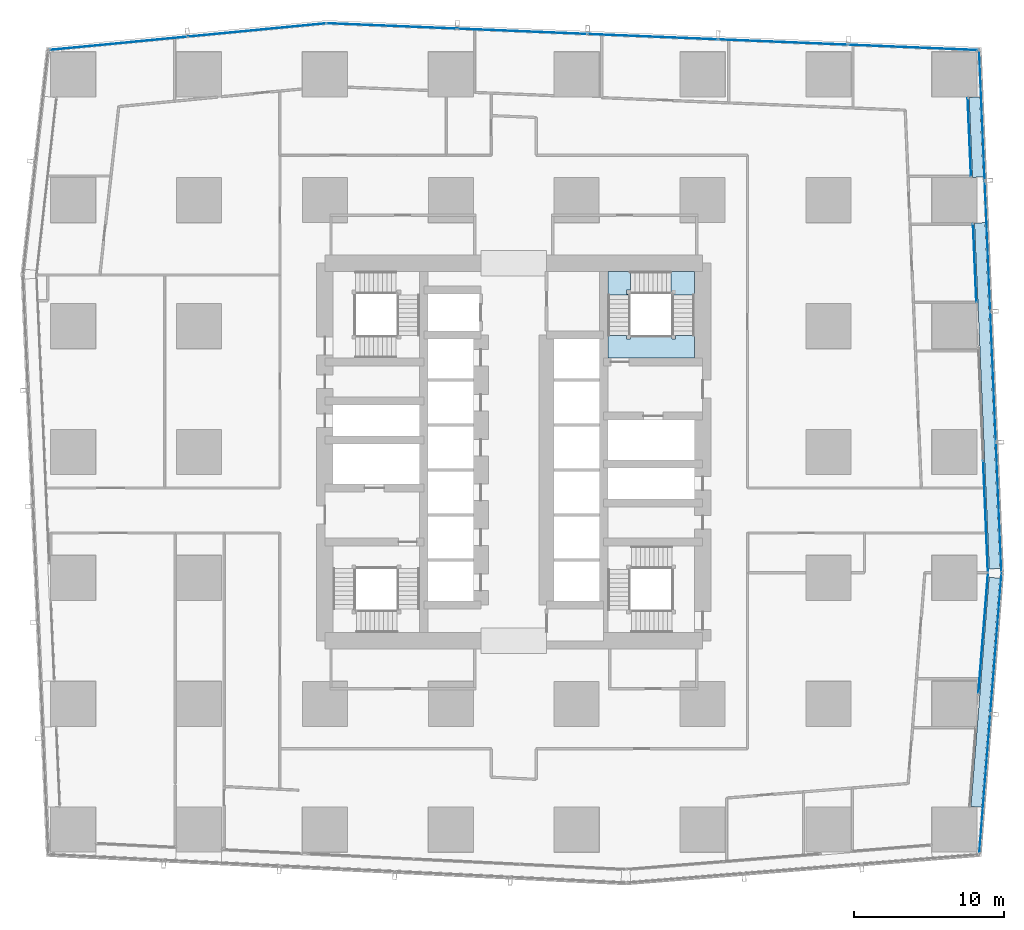
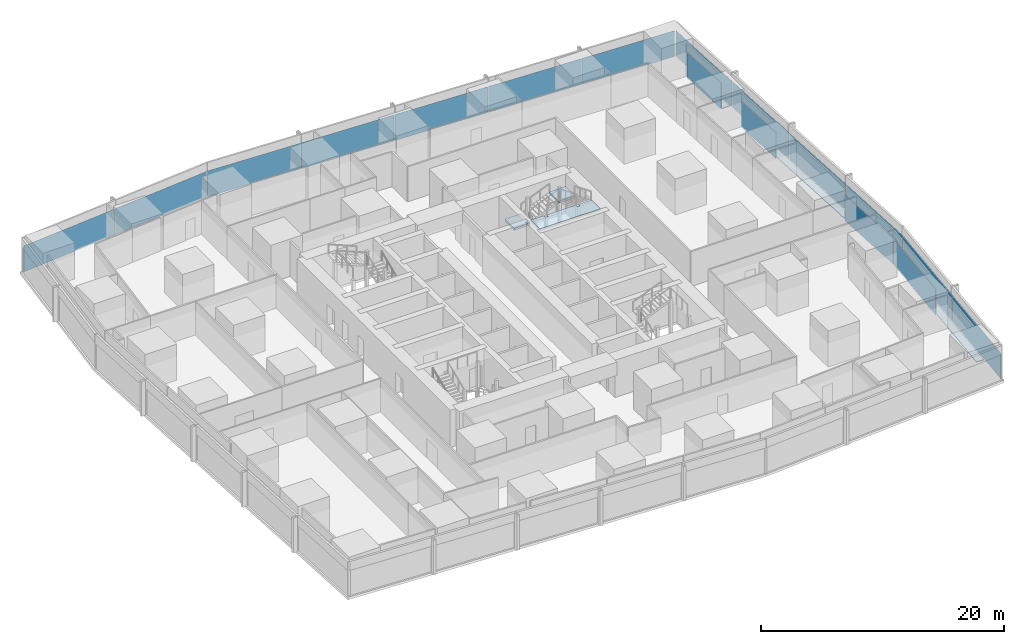
# One storey, part 31 of 45: 20 plates, 3 slabs, 9 elements without a shape of their own.
"""IFC4 building model written with IfcOpenShell, lengths in metres."""

from ifc_helpers import new_model, si_unit, direction, frame, origin, origin_2d, place, context, subcontext, project, spatial, polyline, rectangle, outline, extrude, material, layer, layer_set, type_object, element, aggregate, save


model = new_model("IFC4")

# Units and contexts
model_context = context("Model", 3, precision=1e-05, world=origin(), true_north=direction((0.0, 1.0)))
body_context = subcontext(model_context, "Body", "Model", "MODEL_VIEW")
ifc_project = project(units=[si_unit("LENGTHUNIT", "METRE"), si_unit("AREAUNIT", "SQUARE_METRE"), si_unit("VOLUMEUNIT", "CUBIC_METRE"), si_unit("PLANEANGLEUNIT", "RADIAN"), si_unit("MASSUNIT", "GRAM", prefix="KILO")], contexts=[model_context])

# Site, building, storey
site_placement = place(None, origin())
site = spatial("IfcSite", under=ifc_project, at=site_placement, CompositionType="ELEMENT")
building_placement = place(site_placement, origin())
building = spatial("IfcBuilding", under=site, at=building_placement, Name="Rekha Terrace Tower", CompositionType="ELEMENT")
storey_placement = place(building_placement, frame((0.0, 0.0, 77.89990234375)))
storey = spatial("IfcBuildingStorey", under=building, at=storey_placement, Name="L19", CompositionType="ELEMENT", Elevation=77.89990234375)

# Curtain wall, plate
ifc_material_1 = material(Name="Aluminium framing", Category="aluminium")
curtain_wall_type_1 = type_object("IfcCurtainWallType", Name="CW1 double skin inner glazing", PredefinedType="USERDEFINED", material=ifc_material_1)
curtain_wall_1_placement = place(storey_placement, origin())
curtain_wall_1 = element("IfcCurtainWall", 1, at=curtain_wall_1_placement, inside=storey, type_object=curtain_wall_type_1, Name="CW1 double skin inner glazing", ObjectType="DOUBLE SKIN INNER GLAZING", PredefinedType="USERDEFINED")
ifc_material_2 = material(Name="Double-glazed low-e unit 32", Category="glass")
ifc_layer_1 = layer(ifc_material_2, 0.031982421875)
ifc_layer_set_1 = layer_set([ifc_layer_1], Name="Double-glazed low-e unit 32")
plate_type_1 = type_object("IfcPlateType", Name="CW1 jumbo vision panel, double-glazed low-e unit 32", PredefinedType="CURTAIN_PANEL", material=ifc_layer_set_1)
plate_1_placement = place(storey_placement, frame((69.119873046875, 21.507568359375, 0.0), z_axis=(0.0, 0.0, 1.0), x_axis=(0.079116301035, 0.996865392573, 0.0)))
plate_1 = element("IfcPlate", 2, at=plate_1_placement, type_object=plate_type_1, Name="CW1 panel 1.1", PredefinedType="CURTAIN_PANEL", context=body_context, shape_type="SweptSolid", body=[
    extrude(rectangle(XDim=8.048583984375, YDim=0.031982421875, at=origin_2d()), origin(), (0.0, 0.0, 1.0), 2.60009765625),
])
aggregate(curtain_wall_1, [plate_1])

curtain_wall_2_placement = place(storey_placement, origin())
curtain_wall_2 = element("IfcCurtainWall", 3, at=curtain_wall_2_placement, inside=storey, type_object=curtain_wall_type_1, Name="CW1 double skin inner glazing", ObjectType="DOUBLE SKIN INNER GLAZING", PredefinedType="USERDEFINED")
plate_2_placement = place(storey_placement, frame((69.27685546875, 29.2939453125, 0.0), z_axis=(0.0, 0.0, 1.0), x_axis=(-0.042696072921, 0.999088106904, 0.0)))
plate_2 = element("IfcPlate", 4, at=plate_2_placement, type_object=plate_type_1, Name="CW1 panel 1.1", PredefinedType="CURTAIN_PANEL", context=body_context, shape_type="SweptSolid", body=[
    extrude(rectangle(XDim=7.42578125, YDim=0.031982421875, at=origin_2d()), origin(), (0.0, 0.0, 1.0), 2.60009765625),
])
aggregate(curtain_wall_2, [plate_2])

curtain_wall_3_placement = place(storey_placement, origin())
curtain_wall_3 = element("IfcCurtainWall", 5, at=curtain_wall_3_placement, inside=storey, type_object=curtain_wall_type_1, Name="CW1 double skin inner glazing", ObjectType="DOUBLE SKIN INNER GLAZING", PredefinedType="USERDEFINED")
plate_3_placement = place(storey_placement, frame((68.554443359375, 46.199951171875, 0.0), z_axis=(0.0, 0.0, 1.0), x_axis=(-0.042696073061, 0.999088106898, 0.0)))
plate_3 = element("IfcPlate", 6, at=plate_3_placement, type_object=plate_type_1, Name="CW1 panel 1.1", PredefinedType="CURTAIN_PANEL", context=body_context, shape_type="SweptSolid", body=[
    extrude(rectangle(XDim=5.226806640625, YDim=0.031982421875, at=origin_2d()), origin(), (0.0, 0.0, 1.0), 2.60009765625),
])
aggregate(curtain_wall_3, [plate_3])

curtain_wall_4_placement = place(storey_placement, origin())
curtain_wall_4 = element("IfcCurtainWall", 7, at=curtain_wall_4_placement, inside=storey, type_object=curtain_wall_type_1, Name="CW1 double skin inner glazing", ObjectType="DOUBLE SKIN INNER GLAZING", PredefinedType="USERDEFINED")
plate_4_placement = place(storey_placement, frame((68.195556640625, 54.60009765625, 0.0), z_axis=(0.0, 0.0, 1.0), x_axis=(-0.042696073061, 0.999088106898, 0.0)))
plate_4 = element("IfcPlate", 8, at=plate_4_placement, type_object=plate_type_1, Name="CW1 panel 1.1", PredefinedType="CURTAIN_PANEL", context=body_context, shape_type="SweptSolid", body=[
    extrude(rectangle(XDim=5.226806640625, YDim=0.031982421875, at=origin_2d()), origin(), (0.0, 0.0, 1.0), 2.60009765625),
])
aggregate(curtain_wall_4, [plate_4])

# Curtain wall, plates
curtain_wall_type_2 = type_object("IfcCurtainWallType", Name="CW2 double skin outer glazing", PredefinedType="USERDEFINED", material=ifc_material_1)
curtain_wall_5_placement = place(storey_placement, origin())
curtain_wall_5 = element("IfcCurtainWall", 9, at=curtain_wall_5_placement, inside=storey, type_object=curtain_wall_type_2, Name="CW2 double skin outer glazing", ObjectType="DOUBLE SKIN OUTER GLAZING", PredefinedType="USERDEFINED")
ifc_material_3 = material(Name="Toughened single glazing 12", Category="glass")
ifc_layer_2 = layer(ifc_material_3, 0.011962890625)
ifc_layer_set_2 = layer_set([ifc_layer_2], Name="Toughened single glazing 12")
plate_type_2 = type_object("IfcPlateType", Name="CW2 jumbo vision panel, toughened single glazing 12", PredefinedType="CURTAIN_PANEL", material=ifc_layer_set_2)
plate_5_placement = place(storey_placement, frame((69.22509765625, 11.45703125, 0.0), z_axis=(0.0, 0.0, 1.0), x_axis=(0.079116301017, 0.996865392575, 0.0)))
plate_5 = element("IfcPlate", 10, at=plate_5_placement, type_object=plate_type_2, Name="CW2 panel 1.1", PredefinedType="CURTAIN_PANEL", context=body_context, shape_type="SweptSolid", body=[
    extrude(rectangle(XDim=9.28662109375, YDim=0.011962890625, at=origin_2d()), origin(), (0.0, 0.0, 1.0), 2.60009765625),
])
plate_6_placement = place(storey_placement, frame((69.96923828125, 20.834228515625, 0.0), z_axis=(0.0, 0.0, 1.0), x_axis=(0.079116301017, 0.996865392575, 0.0)))
plate_6 = element("IfcPlate", 11, at=plate_6_placement, type_object=plate_type_2, Name="CW2 panel 2.1", PredefinedType="CURTAIN_PANEL", context=body_context, shape_type="SweptSolid", body=[
    extrude(rectangle(XDim=9.36669921875, YDim=0.011962890625, at=origin_2d()), origin(), (0.0, 0.0, 1.0), 2.60009765625),
])
aggregate(curtain_wall_5, [plate_5, plate_6])

curtain_wall_6_placement = place(storey_placement, origin())
curtain_wall_6 = element("IfcCurtainWall", 12, at=curtain_wall_6_placement, inside=storey, type_object=curtain_wall_type_2, Name="CW2 double skin outer glazing", ObjectType="DOUBLE SKIN OUTER GLAZING", PredefinedType="USERDEFINED")
plate_7_placement = place(storey_placement, frame((70.152099609375, 29.890869140625, 0.0), z_axis=(0.0, 0.0, 1.0), x_axis=(-0.042696072956, 0.999088106903, 0.0)))
plate_7 = element("IfcPlate", 13, at=plate_7_placement, type_object=plate_type_2, Name="CW2 panel 1.1", PredefinedType="CURTAIN_PANEL", context=body_context, shape_type="SweptSolid", body=[
    extrude(rectangle(XDim=8.623779296875, YDim=0.011962890625, at=origin_2d()), origin(), (0.0, 0.0, 1.0), 2.60009765625),
])
plate_8_placement = place(storey_placement, frame((69.77978515625, 38.606689453125, 0.0), z_axis=(0.0, 0.0, 1.0), x_axis=(-0.042696072956, 0.999088106903, 0.0)))
plate_8 = element("IfcPlate", 14, at=plate_8_placement, type_object=plate_type_2, Name="CW2 panel 2.1", PredefinedType="CURTAIN_PANEL", context=body_context, shape_type="SweptSolid", body=[
    extrude(rectangle(XDim=8.663818359375, YDim=0.011962890625, at=origin_2d()), origin(), (0.0, 0.0, 1.0), 2.60009765625),
])
plate_9_placement = place(storey_placement, frame((69.406494140625, 47.342529296875, 0.0), z_axis=(0.0, 0.0, 1.0), x_axis=(-0.042696072956, 0.999088106903, 0.0)))
plate_9 = element("IfcPlate", 15, at=plate_9_placement, type_object=plate_type_2, Name="CW2 panel 3.1", PredefinedType="CURTAIN_PANEL", context=body_context, shape_type="SweptSolid", body=[
    extrude(rectangle(XDim=8.663818359375, YDim=0.011962890625, at=origin_2d()), origin(), (0.0, 0.0, 1.0), 2.60009765625),
])
plate_10_placement = place(storey_placement, frame((69.033935546875, 56.058349609375, 0.0), z_axis=(0.0, 0.0, 1.0), x_axis=(-0.042696072956, 0.999088106903, 0.0)))
plate_10 = element("IfcPlate", 16, at=plate_10_placement, type_object=plate_type_2, Name="CW2 panel 4.1", PredefinedType="CURTAIN_PANEL", context=body_context, shape_type="SweptSolid", body=[
    extrude(rectangle(XDim=8.623779296875, YDim=0.011962890625, at=origin_2d()), origin(), (0.0, 0.0, 1.0), 2.60009765625),
])
aggregate(curtain_wall_6, [plate_7, plate_8, plate_9, plate_10])

curtain_wall_type_3 = type_object("IfcCurtainWallType", Name="CW3 north unitised glazing", PredefinedType="USERDEFINED", material=ifc_material_1)
curtain_wall_7_placement = place(storey_placement, origin())
curtain_wall_7 = element("IfcCurtainWall", 17, at=curtain_wall_7_placement, inside=storey, type_object=curtain_wall_type_3, Name="CW3 unitised curtain wall", ObjectType="UNITISED CURTAIN WALL", PredefinedType="USERDEFINED")
ifc_material_4 = material(Name="Double-glazed unit 28", Category="glass")
ifc_layer_3 = layer(ifc_material_4, 0.028076171875)
ifc_layer_set_3 = layer_set([ifc_layer_3], Name="Double-glazed unit 28")
plate_type_3 = type_object("IfcPlateType", Name="CW3 jumbo vision panel, double-glazed unit 28", PredefinedType="CURTAIN_PANEL", material=ifc_layer_set_3)
plate_11_placement = place(storey_placement, frame((64.4423828125, 60.587646484375, 0.0), z_axis=(0.0, 0.0, 1.0), x_axis=(-0.999151997647, 0.041173846041, 0.0)))
plate_11 = element("IfcPlate", 18, at=plate_11_placement, type_object=plate_type_3, Name="CW3 panel 1.1", PredefinedType="CURTAIN_PANEL", context=body_context, shape_type="SweptSolid", body=[
    extrude(rectangle(XDim=8.598876953125, YDim=0.028076171875, at=origin_2d()), origin(), (0.0, 0.0, 1.0), 2.60009765625),
])
plate_12_placement = place(storey_placement, frame((55.76318359375, 60.9453125, 0.0), z_axis=(0.0, 0.0, 1.0), x_axis=(-0.999151997647, 0.041173846041, 0.0)))
plate_12 = element("IfcPlate", 19, at=plate_12_placement, type_object=plate_type_3, Name="CW3 panel 2.1", PredefinedType="CURTAIN_PANEL", context=body_context, shape_type="SweptSolid", body=[
    extrude(rectangle(XDim=8.6337890625, YDim=0.028076171875, at=origin_2d()), origin(), (0.0, 0.0, 1.0), 2.60009765625),
])
plate_13_placement = place(storey_placement, frame((47.066650390625, 61.3037109375, 0.0), z_axis=(0.0, 0.0, 1.0), x_axis=(-0.999151997647, 0.041173846041, 0.0)))
plate_13 = element("IfcPlate", 20, at=plate_13_placement, type_object=plate_type_3, Name="CW3 panel 3.1", PredefinedType="CURTAIN_PANEL", context=body_context, shape_type="SweptSolid", body=[
    extrude(rectangle(XDim=8.6337890625, YDim=0.028076171875, at=origin_2d()), origin(), (0.0, 0.0, 1.0), 2.60009765625),
])
plate_14_placement = place(storey_placement, frame((38.370361328125, 61.662109375, 0.0), z_axis=(0.0, 0.0, 1.0), x_axis=(-0.999151997647, 0.041173846041, 0.0)))
plate_14 = element("IfcPlate", 21, at=plate_14_placement, type_object=plate_type_3, Name="CW3 panel 4.1", PredefinedType="CURTAIN_PANEL", context=body_context, shape_type="SweptSolid", body=[
    extrude(rectangle(XDim=8.6337890625, YDim=0.028076171875, at=origin_2d()), origin(), (0.0, 0.0, 1.0), 2.60009765625),
])
plate_15_placement = place(storey_placement, frame((29.65625, 62.021240234375, 0.0), z_axis=(0.0, 0.0, 1.0), x_axis=(-0.999151997647, 0.041173846041, 0.0)))
plate_15 = element("IfcPlate", 22, at=plate_15_placement, type_object=plate_type_3, Name="CW3 panel 5.1", PredefinedType="CURTAIN_PANEL", context=body_context, shape_type="SweptSolid", body=[
    extrude(rectangle(XDim=8.6689453125, YDim=0.028076171875, at=origin_2d()), origin(), (0.0, 0.0, 1.0), 2.60009765625),
])
aggregate(curtain_wall_7, [plate_11, plate_12, plate_13, plate_14, plate_15])

curtain_wall_8_placement = place(storey_placement, origin())
curtain_wall_8 = element("IfcCurtainWall", 23, at=curtain_wall_8_placement, inside=storey, type_object=curtain_wall_type_3, Name="CW3 unitised curtain wall", ObjectType="UNITISED CURTAIN WALL", PredefinedType="USERDEFINED")
plate_16_placement = place(storey_placement, frame((20.671875, 61.752197265625, 0.0), z_axis=(0.0, 0.0, 1.0), x_axis=(-0.995409029102, -0.095712406625, 0.0)))
plate_16 = element("IfcPlate", 24, at=plate_16_placement, type_object=plate_type_3, Name="CW3 panel 1.1", PredefinedType="CURTAIN_PANEL", context=body_context, shape_type="SweptSolid", body=[
    extrude(rectangle(XDim=9.210205078125, YDim=0.028076171875, at=origin_2d()), origin(), (0.0, 0.0, 1.0), 2.60009765625),
])
plate_17_placement = place(storey_placement, frame((11.434326171875, 60.864013671875, 0.0), z_axis=(0.0, 0.0, 1.0), x_axis=(-0.995409029102, -0.095712406625, 0.0)))
plate_17 = element("IfcPlate", 25, at=plate_17_placement, type_object=plate_type_3, Name="CW3 panel 2.1", PredefinedType="CURTAIN_PANEL", context=body_context, shape_type="SweptSolid", body=[
    extrude(rectangle(XDim=9.210205078125, YDim=0.028076171875, at=origin_2d()), origin(), (0.0, 0.0, 1.0), 2.60009765625),
])
aggregate(curtain_wall_8, [plate_16, plate_17])

# Plates
ifc_material_5 = material(Name="Galvanised steel open grating", Category="steel")
ifc_layer_4 = layer(ifc_material_5, 0.050048828125)
ifc_layer_set_4 = layer_set([ifc_layer_4], Name="Galvanised steel open grating")
plate_type_4 = type_object("IfcPlateType", Name="GT1 cavity walkway grating 50", PredefinedType="USERDEFINED", material=ifc_layer_set_4)
plate_18_placement = place(storey_placement, frame((69.258544921875, 17.56787109375, 0.0), z_axis=(0.0, 0.0, 1.0), x_axis=(0.079116301, 0.996865392576, 0.0)))
element("IfcPlate", 26, at=plate_18_placement, inside=storey, type_object=plate_type_4, Name="Cavity walkway grating", ObjectType="CAVITY WALKWAY GRATING", PredefinedType="USERDEFINED", context=body_context, shape_type="SweptSolid", body=[
    extrude(rectangle(XDim=15.336181640625, YDim=0.705078125, at=origin_2d()), origin(), (0.0, 0.0, 1.0), 0.050048828125),
])
plate_19_placement = place(storey_placement, frame((69.383056640625, 37.349609375, 0.0), z_axis=(0.0, 0.0, 1.0), x_axis=(-0.042696072939, 0.999088106903, 0.0)))
element("IfcPlate", 27, at=plate_19_placement, inside=storey, type_object=plate_type_4, Name="Cavity walkway grating", ObjectType="CAVITY WALKWAY GRATING", PredefinedType="USERDEFINED", context=body_context, shape_type="SweptSolid", body=[
    extrude(rectangle(XDim=23.098388671875, YDim=0.705078125, at=origin_2d()), origin(), (0.0, 0.0, 1.0), 0.050048828125),
])
plate_20_placement = place(storey_placement, frame((68.645751953125, 54.604248046875, 0.0), z_axis=(0.0, 0.0, 1.0), x_axis=(-0.042696072939, 0.999088106903, 0.0)))
element("IfcPlate", 28, at=plate_20_placement, inside=storey, type_object=plate_type_4, Name="Cavity walkway grating", ObjectType="CAVITY WALKWAY GRATING", PredefinedType="USERDEFINED", context=body_context, shape_type="SweptSolid", body=[
    extrude(rectangle(XDim=5.341796875, YDim=0.705078125, at=origin_2d()), origin(), (0.0, 0.0, 1.0), 0.050048828125),
])

# Stair, slabs
ifc_material_6 = material(Name="Concrete M40", Category="concrete")
stair_type = type_object("IfcStairType", Name="ST30 stair, 30 risers of 125, going 300, 1500 wide flights, 3 flights", PredefinedType="HALF_TURN_STAIR", material=ifc_material_6)
stair_placement = place(storey_placement, origin())
stair = element("IfcStair", 29, at=stair_placement, inside=storey, type_object=stair_type, Name="Stair ST2 L19 to L20", PredefinedType="HALF_TURN_STAIR")
ifc_layer_5 = layer(ifc_material_6, 0.199951171875)
ifc_layer_set_5 = layer_set([ifc_layer_5], Name="Concrete M40")
slab_type = type_object("IfcSlabType", Name="LD1 200 concrete stair landing", PredefinedType="LANDING", material=ifc_layer_set_5)
slab_1_placement = place(storey_placement, frame((0.0, 0.0, 1.050048828125)))
slab_1 = element("IfcSlab", 30, at=slab_1_placement, type_object=slab_type, Name="ST2 landing 1", PredefinedType="LANDING", context=body_context, shape_type="SweptSolid", body=[
    extrude(outline(polyline([(45.574951171875, 45.64990234375), (44.074951171875, 45.64990234375), (44.074951171875, 44.074951171875), (45.574951171875, 44.074951171875), (45.574951171875, 44.14990234375), (45.324951171875, 44.14990234375), (45.324951171875, 44.39990234375), (45.574951171875, 44.39990234375), (45.574951171875, 45.64990234375)])), origin(), (0.0, 0.0, 1.0), 0.199951171875),
])
slab_2_placement = place(storey_placement, frame((0.0, 0.0, 2.300048828125)))
slab_2 = element("IfcSlab", 31, at=slab_2_placement, type_object=slab_type, Name="ST2 landing 2", PredefinedType="LANDING", context=body_context, shape_type="SweptSolid", body=[
    extrude(outline(polyline([(48.35009765625, 44.074951171875), (49.85009765625, 44.074951171875), (49.85009765625, 45.64990234375), (48.27490234375, 45.64990234375), (48.27490234375, 44.14990234375), (48.35009765625, 44.14990234375), (48.35009765625, 44.074951171875)])), origin(), (0.0, 0.0, 1.0), 0.199951171875),
])
slab_3_placement = place(storey_placement, frame((0.0, 0.0, 3.550048828125)))
slab_3 = element("IfcSlab", 32, at=slab_3_placement, type_object=slab_type, Name="ST2 landing 3", PredefinedType="LANDING", context=body_context, shape_type="SweptSolid", body=[
    extrude(outline(polyline([(44.074951171875, 41.375), (44.074951171875, 39.875), (49.85009765625, 39.875), (49.85009765625, 41.375), (48.60009765625, 41.375), (48.60009765625, 41.125), (48.35009765625, 41.125), (48.35009765625, 41.375), (45.574951171875, 41.375), (45.574951171875, 41.125), (45.324951171875, 41.125), (45.324951171875, 41.375), (44.074951171875, 41.375)])), origin(), (0.0, 0.0, 1.0), 0.199951171875),
])
aggregate(stair, [slab_1, slab_2, slab_3])

save(model, "model.ifc")
